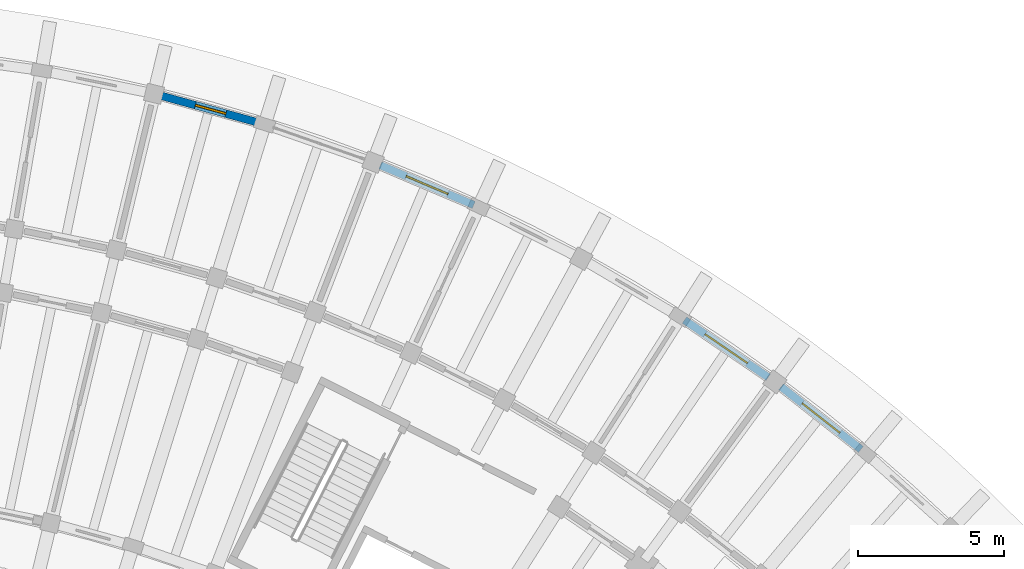
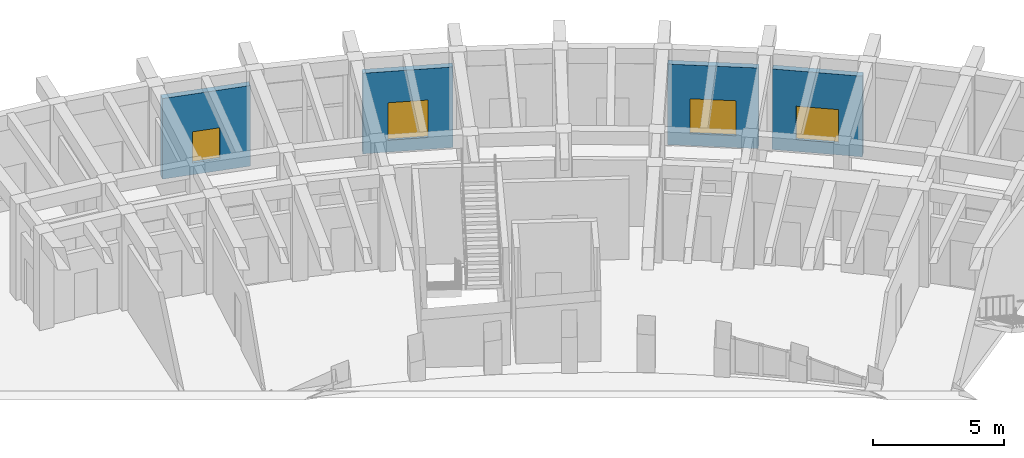
# One storey, part 108 of 132: 4 walls, 4 windows, 4 openings.
"""IFC4 building model written with IfcOpenShell, lengths in metres."""

from ifc_helpers import new_model, si_unit, direction, frame, frame_2d, origin, place, context, subcontext, project, spatial, rectangle, extrude, material, layer, layer_set, type_object, element, fill, save


model = new_model("IFC4")

# Units and contexts
model_context = context("Model", 3, precision=1e-05, world=origin(), true_north=direction((0.0, 1.0)))
body_context = subcontext(model_context, "Body", "Model", "MODEL_VIEW")
ifc_project = project(units=[si_unit("LENGTHUNIT", "METRE"), si_unit("AREAUNIT", "SQUARE_METRE"), si_unit("VOLUMEUNIT", "CUBIC_METRE"), si_unit("PLANEANGLEUNIT", "RADIAN"), si_unit("MASSUNIT", "GRAM", prefix="KILO")], contexts=[model_context])

# Site, building, storey
site_placement = place(None, origin())
site = spatial("IfcSite", under=ifc_project, at=site_placement, CompositionType="ELEMENT")
building_placement = place(site_placement, origin())
building = spatial("IfcBuilding", under=site, at=building_placement, Name="Tanwirah Colonnade Gardens", CompositionType="ELEMENT")
storey_placement = place(building_placement, origin())
storey = spatial("IfcBuildingStorey", under=building, at=storey_placement, Name="L00", CompositionType="ELEMENT", Elevation=0.0)

# Wall, opening, window
ifc_material_1 = material(Name="Limestone architectural precast concrete C40/50", Category="masonry")
ifc_layer = layer(ifc_material_1, 0.27001953125)
ifc_layer_set = layer_set([ifc_layer], Name="Limestone architectural precast concrete C40/50")
wall_type = type_object("IfcWallType", Name="EW-PC270", PredefinedType="SOLIDWALL", material=ifc_layer_set)
wall_1_placement = place(storey_placement, frame((159.136474609375, 105.928955078125, 0.0), z_axis=(0.0, 0.0, 1.0), x_axis=(-0.786815295284, 0.617188537731, 0.0)))
wall_1 = element("IfcWall", 1, at=wall_1_placement, inside=storey, type_object=wall_type, Name="Block B L00 OUT Precast Facade Wall 9", PredefinedType="SOLIDWALL", context=body_context, shape_type="SweptSolid", body=[
    extrude(rectangle(XDim=3.475830078125, YDim=0.27001953125, at=frame_2d((1.73779296875, 0.0))), origin(), (0.0, 0.0, 1.0), 3.7548828125),
])
opening_1_placement = place(wall_1_placement, frame((0.917724609375, 0.0, 0.550048828125)))
opening_1 = element("IfcOpeningElement", 2, at=opening_1_placement, cuts=wall_1, Name="Opening WIN-U13", PredefinedType="OPENING", context=body_context, shape_type="SweptSolid", body=[
    extrude(rectangle(XDim=1.639892578125, YDim=1.56005859375, at=frame_2d((0.81982421875, 0.780029296875))), frame((0.0, 0.14501953125, 0.0), z_axis=(0.0, -1.0, 0.0), x_axis=(1.0, 0.0, 0.0)), (0.0, 0.0, 1.0), 0.2900390625),
])
ifc_material_2 = material(Name="Thermally broken bronze aluminium and solar low-E double glazing", Category="aluminium")
window_type_1 = type_object("IfcWindowType", Name="WIN-U13", PartitioningType="DOUBLE_PANEL_VERTICAL", PredefinedType="WINDOW", material=ifc_material_2)
window_1_placement = place(opening_1_placement, origin())
window_1 = element("IfcWindow", 3, at=window_1_placement, inside=storey, type_object=window_type_1, Name="Facade window B-L00-OUT-09", OverallHeight=1.56005859375, OverallWidth=1.639892578125, PartitioningType="SINGLE_PANEL", PredefinedType="WINDOW", context=body_context, shape_type="SweptSolid", body=[
    extrude(rectangle(XDim=1.639892578125, YDim=1.56005859375, at=frame_2d((0.81982421875, 0.780029296875))), frame((0.0, 0.030029296875, 0.0), z_axis=(0.0, -1.0, 0.0), x_axis=(1.0, 0.0, 0.0)), (0.0, 0.0, 1.0), 0.06005859375),
])
fill(opening_1, window_1)

wall_2_placement = place(storey_placement, frame((155.96630859375, 108.39306640625, 0.0), z_axis=(0.0, 0.0, 1.0), x_axis=(-0.825751510897, 0.564034078981, 0.0)))
wall_2 = element("IfcWall", 4, at=wall_2_placement, inside=storey, type_object=wall_type, Name="Block B L00 OUT Precast Facade Wall 10", PredefinedType="SOLIDWALL", context=body_context, shape_type="SweptSolid", body=[
    extrude(rectangle(XDim=3.475830078125, YDim=0.27001953125, at=frame_2d((1.73779296875, 0.0))), origin(), (0.0, 0.0, 1.0), 3.7548828125),
])
opening_2_placement = place(wall_2_placement, frame((0.85791015625, 0.0, 0.550048828125)))
opening_2 = element("IfcOpeningElement", 5, at=opening_2_placement, cuts=wall_2, Name="Opening WIN-U16", PredefinedType="OPENING", context=body_context, shape_type="SweptSolid", body=[
    extrude(rectangle(XDim=1.760009765625, YDim=1.635009765625, at=frame_2d((0.8798828125, 0.8173828125))), frame((0.0, 0.14501953125, 0.0), z_axis=(0.0, -1.0, 0.0), x_axis=(1.0, 0.0, 0.0)), (0.0, 0.0, 1.0), 0.2900390625),
])
window_type_2 = type_object("IfcWindowType", Name="WIN-U16", PartitioningType="DOUBLE_PANEL_VERTICAL", PredefinedType="WINDOW", material=ifc_material_2)
window_2_placement = place(opening_2_placement, origin())
window_2 = element("IfcWindow", 6, at=window_2_placement, inside=storey, type_object=window_type_2, Name="Facade window B-L00-OUT-10", OverallHeight=1.635009765625, OverallWidth=1.760009765625, PartitioningType="SINGLE_PANEL", PredefinedType="WINDOW", context=body_context, shape_type="SweptSolid", body=[
    extrude(rectangle(XDim=1.760009765625, YDim=1.635009765625, at=frame_2d((0.8798828125, 0.8173828125))), frame((0.0, 0.030029296875, 0.0), z_axis=(0.0, -1.0, 0.0), x_axis=(1.0, 0.0, 0.0)), (0.0, 0.0, 1.0), 0.06005859375),
])
fill(opening_2, window_2)

wall_3_placement = place(storey_placement, frame((145.896484375, 114.28955078125, 0.0), z_axis=(0.0, 0.0, 1.0), x_axis=(-0.920498347177, 0.390746455959, 0.0)))
wall_3 = element("IfcWall", 7, at=wall_3_placement, inside=storey, type_object=wall_type, Name="Block B L00 OUT Precast Facade Wall 13", PredefinedType="SOLIDWALL", context=body_context, shape_type="SweptSolid", body=[
    extrude(rectangle(XDim=3.475830078125, YDim=0.27001953125, at=frame_2d((1.73779296875, 0.0))), origin(), (0.0, 0.0, 1.0), 3.7548828125),
])
opening_3_placement = place(wall_3_placement, frame((0.962890625, 0.0, 0.550048828125)))
opening_3 = element("IfcOpeningElement", 8, at=opening_3_placement, cuts=wall_3, Name="Opening WIN-T09", PredefinedType="OPENING", context=body_context, shape_type="SweptSolid", body=[
    extrude(rectangle(XDim=1.550048828125, YDim=1.75, at=frame_2d((0.77490234375, 0.875))), frame((0.0, 0.14501953125, 0.0), z_axis=(0.0, -1.0, 0.0), x_axis=(1.0, 0.0, 0.0)), (0.0, 0.0, 1.0), 0.2900390625),
])
window_type_3 = type_object("IfcWindowType", Name="WIN-T09", PartitioningType="DOUBLE_PANEL_VERTICAL", PredefinedType="WINDOW", material=ifc_material_2)
window_3_placement = place(opening_3_placement, origin())
window_3 = element("IfcWindow", 9, at=window_3_placement, inside=storey, type_object=window_type_3, Name="Facade window B-L00-OUT-13", OverallHeight=1.75, OverallWidth=1.550048828125, PartitioningType="SINGLE_PANEL", PredefinedType="WINDOW", context=body_context, shape_type="SweptSolid", body=[
    extrude(rectangle(XDim=1.550048828125, YDim=1.75, at=frame_2d((0.77490234375, 0.875))), frame((0.0, 0.030029296875, 0.0), z_axis=(0.0, -1.0, 0.0), x_axis=(1.0, 0.0, 0.0)), (0.0, 0.0, 1.0), 0.06005859375),
])
fill(opening_3, window_3)

wall_4_placement = place(storey_placement, frame((138.568359375, 117.09375, 0.0), z_axis=(0.0, 0.0, 1.0), x_axis=(-0.963896315356, 0.266277849706, 0.0)))
wall_4 = element("IfcWall", 10, at=wall_4_placement, inside=storey, type_object=wall_type, Name="Block B L00 OUT Precast Facade Wall 15", PredefinedType="SOLIDWALL", context=body_context, shape_type="SweptSolid", body=[
    extrude(rectangle(XDim=3.475830078125, YDim=0.27001953125, at=frame_2d((1.73779296875, 0.0))), origin(), (0.0, 0.0, 1.0), 3.7548828125),
])
opening_4_placement = place(wall_4_placement, frame((1.19775390625, 0.0, 0.550048828125)))
opening_4 = element("IfcOpeningElement", 11, at=opening_4_placement, cuts=wall_4, Name="Opening WIN-T15", PredefinedType="OPENING", context=body_context, shape_type="SweptSolid", body=[
    extrude(rectangle(XDim=1.080078125, YDim=1.449951171875, at=frame_2d((0.5400390625, 0.72509765625))), frame((0.0, 0.14501953125, 0.0), z_axis=(0.0, -1.0, 0.0), x_axis=(1.0, 0.0, 0.0)), (0.0, 0.0, 1.0), 0.2900390625),
])
window_type_4 = type_object("IfcWindowType", Name="WIN-T15", PartitioningType="SINGLE_PANEL", PredefinedType="WINDOW", material=ifc_material_2)
window_4_placement = place(opening_4_placement, origin())
window_4 = element("IfcWindow", 12, at=window_4_placement, inside=storey, type_object=window_type_4, Name="Facade window B-L00-OUT-15", OverallHeight=1.449951171875, OverallWidth=1.080078125, PartitioningType="SINGLE_PANEL", PredefinedType="WINDOW", context=body_context, shape_type="SweptSolid", body=[
    extrude(rectangle(XDim=1.080078125, YDim=1.449951171875, at=frame_2d((0.5400390625, 0.72509765625))), frame((0.0, 0.030029296875, 0.0), z_axis=(0.0, -1.0, 0.0), x_axis=(1.0, 0.0, 0.0)), (0.0, 0.0, 1.0), 0.06005859375),
])
fill(opening_4, window_4)

save(model, "model.ifc")
